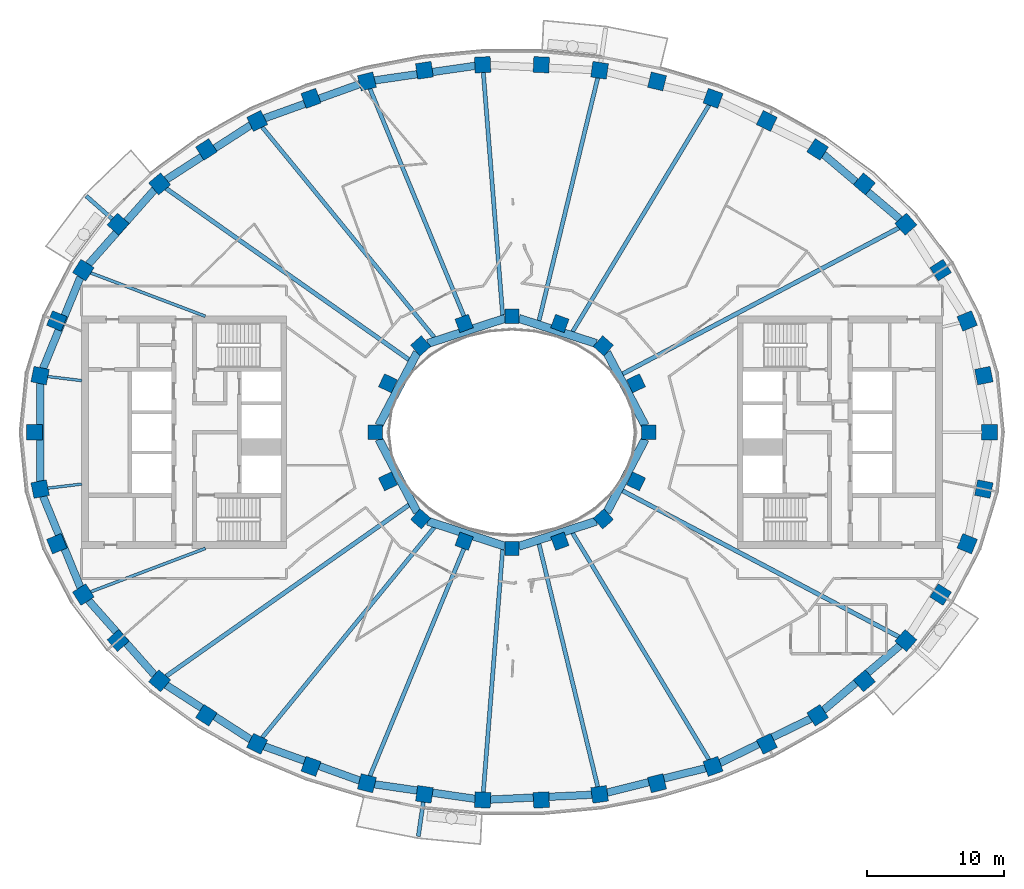
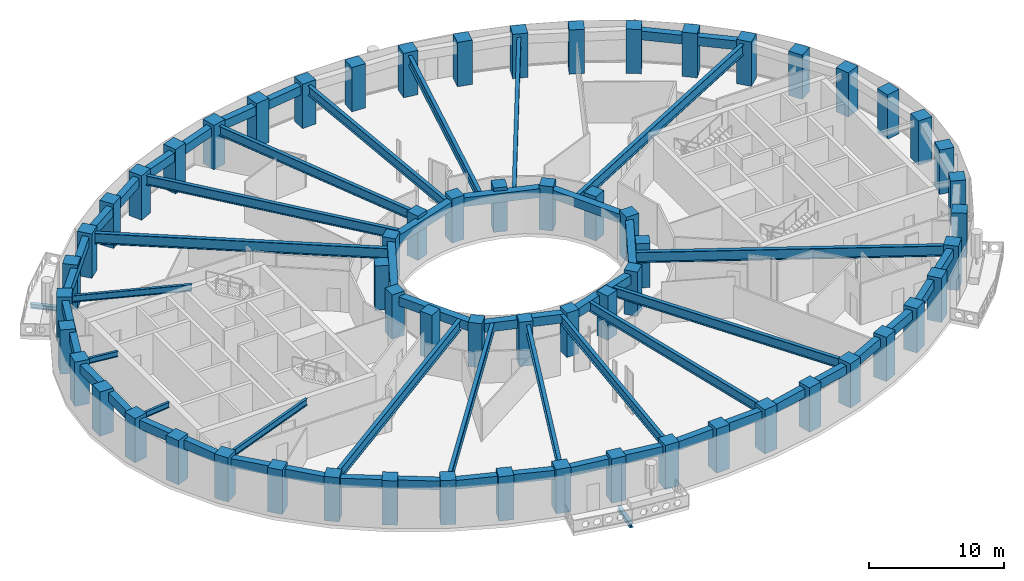
# One storey, part 1 of 17: 62 columns, 44 beams.
"""IFC4 building model written with IfcOpenShell, lengths in metres."""

from ifc_helpers import new_model, si_unit, direction, frame, origin, origin_2d, place, context, subcontext, project, spatial, rectangle, i_section, extrude, material, material_profile, profile_set, type_object, element, save


model = new_model("IFC4")

# Units and contexts
model_context = context("Model", 3, precision=1e-05, world=origin(), true_north=direction((0.0, 1.0)))
body_context = subcontext(model_context, "Body", "Model", "MODEL_VIEW")
ifc_project = project(units=[si_unit("LENGTHUNIT", "METRE"), si_unit("AREAUNIT", "SQUARE_METRE"), si_unit("VOLUMEUNIT", "CUBIC_METRE"), si_unit("PLANEANGLEUNIT", "RADIAN"), si_unit("MASSUNIT", "GRAM", prefix="KILO")], contexts=[model_context])

# Site, building, storey
site_placement = place(None, origin())
site = spatial("IfcSite", under=ifc_project, at=site_placement, CompositionType="ELEMENT")
building_placement = place(site_placement, origin())
building = spatial("IfcBuilding", under=site, at=building_placement, Name="Noorbagh Ring Tower", CompositionType="ELEMENT")
storey_placement = place(building_placement, frame((0.0, 0.0, 190.0)))
storey = spatial("IfcBuildingStorey", under=building, at=storey_placement, Name="L44", CompositionType="ELEMENT", Elevation=190.0)

# Columns
ifc_material_1 = material(Name="Concrete C60/75", Category="concrete")
ifc_material_profile_1 = material_profile(ifc_material_1, rectangle(XDim=1.14990234375, YDim=1.14990234375, at=origin_2d()), Name="RC1150x1150")
ifc_profile_set_1 = profile_set([ifc_material_profile_1], Name="Concrete C60/75")
column_type_1 = type_object("IfcColumnType", Name="STR-COL-RC1150x1150-C60-75", PredefinedType="COLUMN", material=ifc_profile_set_1)
for number, where, z_axis, x_axis, name in (
    (1, (34.944580078125, 0.0, 0.0), (0.0, 0.0, 1.0), (0.0, 1.0, 0.0), "L44/col/R1-01"),
    (2, (34.52685546875, 4.150634765625, 0.0), (0.0, 0.0, 1.0), (-0.19723040178, 0.9803571638, 0.0), "L44/col/R1-02"),
    (3, (33.30517578125, 8.1494140625, 0.0), (0.0, 0.0, 1.0), (-0.378989499959, 0.925400971969, 0.0), "L44/col/R1-03"),
    (4, (31.364990234375, 11.87109375, 0.0), (0.0, 0.0, 1.0), (-0.535190403059, 0.844731455833, 0.0), "L44/col/R1-04"),
    (5, (28.81884765625, 15.23046875, 0.0), (0.0, 0.0, 1.0), (-0.662635642662, 0.748941923699, 0.0), "L44/col/R1-05"),
    (6, (25.78271484375, 18.180419921875, 0.0), (0.0, 0.0, 1.0), (-0.763035199656, 0.646356932419, 0.0), "L44/col/R1-06"),
    (7, (22.362060546875, 20.699951171875, 0.0), (0.0, 0.0, 1.0), (-0.840247639643, 0.542202825586, 0.0), "L44/col/R1-07"),
    (8, (18.646240234375, 22.785400390625, 0.0), (0.0, 0.0, 1.0), (-0.898399080868, 0.439180021741, 0.0), "L44/col/R1-08"),
    (9, (14.70947265625, 24.44091796875, 0.0), (0.0, 0.0, 1.0), (-0.941024726094, 0.338337797003, 0.0), "L44/col/R1-09"),
    (10, (10.61328125, 25.673583984375, 0.0), (0.0, 0.0, 1.0), (-0.970829360981, 0.239771457553, 0.0), "L44/col/R1-10"),
    (11, (6.4091796875, 26.49072265625, 0.0), (0.0, 0.0, 1.0), (-0.989713114048, 0.143066249975, 0.0), "L44/col/R1-11"),
    (12, (2.14306640625, 26.89794921875, 0.0), (0.0, 0.0, 1.0), (-0.998868731212, 0.047552684538, 0.0), "L44/col/R1-12"),
    (13, (-2.14306640625, 26.89794921875, 0.0), (0.0, 0.0, 1.0), (-0.998868731212, -0.047552684538, 0.0), "L44/col/R1-13"),
    (14, (-6.4091796875, 26.49072265625, 0.0), (0.0, 0.0, 1.0), (-0.989713114048, -0.143066249975, 0.0), "L44/col/R1-14"),
    (15, (-10.61328125, 25.673583984375, 0.0), (0.0, 0.0, 1.0), (-0.970829360981, -0.239771457553, 0.0), "L44/col/R1-15"),
    (16, (-14.70947265625, 24.44091796875, 0.0), (0.0, 0.0, 1.0), (-0.941024726094, -0.338337797003, 0.0), "L44/col/R1-16"),
    (17, (-18.646240234375, 22.785400390625, 0.0), (0.0, 0.0, 1.0), (-0.898399080868, -0.439180021741, 0.0), "L44/col/R1-17"),
    (18, (-22.362060546875, 20.699951171875, 0.0), (0.0, 0.0, 1.0), (-0.840247639643, -0.542202825586, 0.0), "L44/col/R1-18"),
    (19, (-25.78271484375, 18.180419921875, 0.0), (0.0, 0.0, 1.0), (-0.763035199656, -0.646356932419, 0.0), "L44/col/R1-19"),
    (20, (-28.81884765625, 15.23046875, 0.0), (0.0, 0.0, 1.0), (-0.662635642662, -0.748941923699, 0.0), "L44/col/R1-20"),
    (21, (-31.364990234375, 11.87109375, 0.0), (0.0, 0.0, 1.0), (-0.535190403059, -0.844731455833, 0.0), "L44/col/R1-21"),
    (22, (-33.30517578125, 8.1494140625, 0.0), (0.0, 0.0, 1.0), (-0.378989499959, -0.925400971969, 0.0), "L44/col/R1-22"),
    (23, (-34.52685546875, 4.150634765625, 0.0), (0.0, 0.0, 1.0), (-0.19723040178, -0.9803571638, 0.0), "L44/col/R1-23"),
    (24, (-34.944580078125, 0.0, 0.0), (0.0, 0.0, 1.0), (0.0, -1.0, 0.0), "L44/col/R1-24"),
    (25, (-34.52685546875, -4.150634765625, 0.0), (0.0, 0.0, 1.0), (0.19723040178, -0.9803571638, 0.0), "L44/col/R1-25"),
    (26, (-33.30517578125, -8.1494140625, 0.0), (0.0, 0.0, 1.0), (0.378989499959, -0.925400971969, 0.0), "L44/col/R1-26"),
    (27, (-31.364990234375, -11.87109375, 0.0), (0.0, 0.0, 1.0), (0.535190403059, -0.844731455833, 0.0), "L44/col/R1-27"),
    (28, (-28.81884765625, -15.23046875, 0.0), (0.0, 0.0, 1.0), (0.662635642662, -0.748941923699, 0.0), "L44/col/R1-28"),
    (29, (-25.78271484375, -18.180419921875, 0.0), (0.0, 0.0, 1.0), (0.763035199656, -0.646356932419, 0.0), "L44/col/R1-29"),
    (30, (-22.362060546875, -20.699951171875, 0.0), (0.0, 0.0, 1.0), (0.840247639643, -0.542202825586, 0.0), "L44/col/R1-30"),
    (31, (-18.646240234375, -22.785400390625, 0.0), (0.0, 0.0, 1.0), (0.898399080868, -0.439180021741, 0.0), "L44/col/R1-31"),
    (32, (-14.70947265625, -24.44091796875, 0.0), (0.0, 0.0, 1.0), (0.941024726094, -0.338337797003, 0.0), "L44/col/R1-32"),
    (33, (-10.61328125, -25.673583984375, 0.0), (0.0, 0.0, 1.0), (0.970829360981, -0.239771457553, 0.0), "L44/col/R1-33"),
    (34, (-6.4091796875, -26.49072265625, 0.0), (0.0, 0.0, 1.0), (0.989713114048, -0.143066249975, 0.0), "L44/col/R1-34"),
    (35, (-2.14306640625, -26.89794921875, 0.0), (0.0, 0.0, 1.0), (0.998868731212, -0.047552684538, 0.0), "L44/col/R1-35"),
    (36, (2.14306640625, -26.89794921875, 0.0), (0.0, 0.0, 1.0), (0.998868731212, 0.047552684538, 0.0), "L44/col/R1-36"),
    (37, (6.4091796875, -26.49072265625, 0.0), (0.0, 0.0, 1.0), (0.989713114048, 0.143066249975, 0.0), "L44/col/R1-37"),
    (38, (10.61328125, -25.673583984375, 0.0), (0.0, 0.0, 1.0), (0.970829360981, 0.239771457553, 0.0), "L44/col/R1-38"),
    (39, (14.70947265625, -24.44091796875, 0.0), (0.0, 0.0, 1.0), (0.941024726094, 0.338337797003, 0.0), "L44/col/R1-39"),
    (40, (18.646240234375, -22.785400390625, 0.0), (0.0, 0.0, 1.0), (0.898399080868, 0.439180021741, 0.0), "L44/col/R1-40"),
    (41, (22.362060546875, -20.699951171875, 0.0), (0.0, 0.0, 1.0), (0.840247639643, 0.542202825586, 0.0), "L44/col/R1-41"),
    (42, (25.78271484375, -18.180419921875, 0.0), (0.0, 0.0, 1.0), (0.763035199656, 0.646356932419, 0.0), "L44/col/R1-42"),
    (43, (28.81884765625, -15.23046875, 0.0), (0.0, 0.0, 1.0), (0.662635642662, 0.748941923699, 0.0), "L44/col/R1-43"),
    (44, (31.364990234375, -11.87109375, 0.0), (0.0, 0.0, 1.0), (0.535190403059, 0.844731455833, 0.0), "L44/col/R1-44"),
    (45, (33.30517578125, -8.1494140625, 0.0), (0.0, 0.0, 1.0), (0.378989499959, 0.925400971969, 0.0), "L44/col/R1-45"),
    (46, (34.52685546875, -4.150634765625, 0.0), (0.0, 0.0, 1.0), (0.19723040178, 0.9803571638, 0.0), "L44/col/R1-46"),
):
    element("IfcColumn", number, at=place(storey_placement, frame(where, z_axis=z_axis, x_axis=x_axis)), inside=storey, type_object=column_type_1, Name=name, PredefinedType="COLUMN", context=body_context, shape_type="SweptSolid", body=[
        extrude(rectangle(XDim=1.14990234375, YDim=1.14990234375, at=origin_2d()), origin(), (0.0, 0.0, 1.0), 4.0),
    ])
ifc_material_2 = material(Name="Concrete C60/75", Category="concrete")
ifc_material_profile_2 = material_profile(ifc_material_2, rectangle(XDim=1.050048828125, YDim=1.050048828125, at=origin_2d()), Name="RC1050x1050")
ifc_profile_set_2 = profile_set([ifc_material_profile_2], Name="Concrete C60/75")
column_type_2 = type_object("IfcColumnType", Name="STR-ICOL-RC1050x1050-C60-75", PredefinedType="COLUMN", material=ifc_profile_set_2)
for number, where, z_axis, x_axis, name in (
    (47, (10.00830078125, 0.0, 0.0), (0.0, 0.0, 1.0), (0.0, 1.0, 0.0), "L44/col/IR2-W01"),
    (48, (9.07568359375, 3.58837890625, 0.0), (0.0, 0.0, 1.0), (-0.428666979171, 0.903462573087, 0.0), "L44/col/IR2-W03"),
    (49, (6.68212890625, 6.333740234375, 0.0), (0.0, 0.0, 1.0), (-0.75102249095, 0.660276622399, 0.0), "L44/col/IR2-W05"),
    (50, (3.5009765625, 7.967041015625, 0.0), (0.0, 0.0, 1.0), (-0.939019578916, 0.343863679984, 0.0), "L44/col/IR2-W07"),
    (51, (0.0, 8.5029296875, 0.0), (0.0, 0.0, 1.0), (-1.0, 0.0, 0.0), "L44/col/IR2-W09"),
    (52, (-3.5009765625, 7.967041015625, 0.0), (0.0, 0.0, 1.0), (-0.939019578916, -0.343863679984, 0.0), "L44/col/IR2-W11"),
    (53, (-6.68212890625, 6.333740234375, 0.0), (0.0, 0.0, 1.0), (-0.75102249095, -0.660276622399, 0.0), "L44/col/IR2-W13"),
    (54, (-9.07568359375, 3.58837890625, 0.0), (0.0, 0.0, 1.0), (-0.428666979171, -0.903462573087, 0.0), "L44/col/IR2-W15"),
    (55, (-10.00830078125, 0.0, 0.0), (0.0, 0.0, 1.0), (0.0, -1.0, 0.0), "L44/col/IR2-W17"),
    (56, (-9.07568359375, -3.58837890625, 0.0), (0.0, 0.0, 1.0), (0.428666979171, -0.903462573087, 0.0), "L44/col/IR2-W19"),
    (57, (-6.68212890625, -6.333740234375, 0.0), (0.0, 0.0, 1.0), (0.75102249095, -0.660276622399, 0.0), "L44/col/IR2-W21"),
    (58, (-3.5009765625, -7.967041015625, 0.0), (0.0, 0.0, 1.0), (0.939019578916, -0.343863679984, 0.0), "L44/col/IR2-W23"),
    (59, (0.0, -8.5029296875, 0.0), (0.0, 0.0, 1.0), (1.0, 0.0, 0.0), "L44/col/IR2-W25"),
    (60, (3.5009765625, -7.967041015625, 0.0), (0.0, 0.0, 1.0), (0.939019578916, 0.343863679984, 0.0), "L44/col/IR2-W27"),
    (61, (6.68212890625, -6.333740234375, 0.0), (0.0, 0.0, 1.0), (0.75102249095, 0.660276622399, 0.0), "L44/col/IR2-W29"),
    (62, (9.07568359375, -3.58837890625, 0.0), (0.0, 0.0, 1.0), (0.428666979171, 0.903462573087, 0.0), "L44/col/IR2-W31"),
):
    element("IfcColumn", number, at=place(storey_placement, frame(where, z_axis=z_axis, x_axis=x_axis)), inside=storey, type_object=column_type_2, Name=name, PredefinedType="COLUMN", context=body_context, shape_type="SweptSolid", body=[
        extrude(rectangle(XDim=1.050048828125, YDim=1.050048828125, at=origin_2d()), origin(), (0.0, 0.0, 1.0), 4.0),
    ])

# Beams
ifc_material_3 = material(Name="Steel S355", Category="steel")
ifc_material_profile_3 = material_profile(ifc_material_3, i_section(OverallWidth=0.300048828125, OverallDepth=0.39990234375, WebThickness=0.013427734375, FlangeThickness=0.02392578125, FilletRadius=0.027099609375, at=origin_2d()), Name="HEB400")
ifc_profile_set_3 = profile_set([ifc_material_profile_3], Name="Steel S355")
beam_type_1 = type_object("IfcBeamType", Name="STR-BALCONY-BRACKET-HEB400", PredefinedType="BEAM", material=ifc_profile_set_3)
beam_1_placement = place(storey_placement, frame((-29.234619140625, 15.59814453125, -0.5), z_axis=(-0.749031222735, 0.662534698992, 0.0), x_axis=(-0.662534698992, -0.749031222735, 0.0)))
element("IfcBeam", 63, at=beam_1_placement, inside=storey, type_object=beam_type_1, Name="Balcony bracket beam BN06", PredefinedType="BEAM", context=body_context, shape_type="SweptSolid", body=[
    extrude(i_section(OverallWidth=0.300048828125, OverallDepth=0.39990234375, WebThickness=0.013427734375, FlangeThickness=0.02392578125, FilletRadius=0.027099609375, at=origin_2d()), origin(), (0.0, 0.0, 1.0), 2.554443359375),
])
beam_2_placement = place(storey_placement, frame((-6.48876953125, -27.0400390625, -0.5), z_axis=(-0.143003505054, -0.989722182, 0.0), x_axis=(0.989722182, -0.143003505054, 0.0)))
element("IfcBeam", 64, at=beam_2_placement, inside=storey, type_object=beam_type_1, Name="Balcony bracket beam BS03", PredefinedType="BEAM", context=body_context, shape_type="SweptSolid", body=[
    extrude(i_section(OverallWidth=0.300048828125, OverallDepth=0.39990234375, WebThickness=0.013427734375, FlangeThickness=0.02392578125, FilletRadius=0.027099609375, at=origin_2d()), origin(), (0.0, 0.0, 1.0), 2.548828125),
])
ifc_material_4 = material(Name="Steel S355", Category="steel")
ifc_material_profile_4 = material_profile(ifc_material_4, i_section(OverallWidth=0.199951171875, OverallDepth=0.5, WebThickness=0.01025390625, FlangeThickness=0.01611328125, FilletRadius=0.02099609375, at=origin_2d()), Name="IPE500")
ifc_profile_set_4 = profile_set([ifc_material_profile_4], Name="Steel S355")
beam_type_2 = type_object("IfcBeamType", Name="STR-RAD-IPE500", PredefinedType="BEAM", material=ifc_profile_set_4)
for number, where, z_axis, x_axis, name in (
    (65, (-33.973876953125, 4.084228515625, 3.449951171875), (0.992850135932, -0.119367531518, 0.0), (0.119367531518, 0.992850135932, 0.0), "L44/bm/RD23"),
    (66, (-33.973876953125, -4.084228515625, 3.449951171875), (0.992850135932, 0.119367531518, 0.0), (-0.119367531518, 0.992850135932, 0.0), "L44/bm/RD25"),
):
    element("IfcBeam", number, at=place(storey_placement, frame(where, z_axis=z_axis, x_axis=x_axis)), inside=storey, type_object=beam_type_2, Name=name, PredefinedType="BEAM", context=body_context, shape_type="SweptSolid", body=[
        extrude(i_section(OverallWidth=0.199951171875, OverallDepth=0.5, WebThickness=0.01025390625, FlangeThickness=0.01611328125, FilletRadius=0.02099609375, at=origin_2d()), origin(), (0.0, 0.0, 1.0), 2.51171875),
    ])
ifc_material_5 = material(Name="Steel S355", Category="steel")
ifc_material_profile_5 = material_profile(ifc_material_5, i_section(OverallWidth=0.219970703125, OverallDepth=0.60009765625, WebThickness=0.011962890625, FlangeThickness=0.01904296875, FilletRadius=0.02392578125, at=origin_2d()), Name="IPE600")
ifc_profile_set_5 = profile_set([ifc_material_profile_5], Name="Steel S355")
beam_type_3 = type_object("IfcBeamType", Name="STR-RAD-IPE600", PredefinedType="BEAM", material=ifc_profile_set_5)
for number, where, z_axis, x_axis, name in (
    (67, (-30.834716796875, 11.670166015625, 3.39990234375), (0.935258517004, -0.353965402789, 0.0), (0.353965402789, 0.935258517004, 0.0), "L44/bm/RD21"),
    (68, (-30.834716796875, -11.670166015625, 3.39990234375), (0.935258517004, 0.353965402789, 0.0), (-0.353965402789, 0.935258517004, 0.0), "L44/bm/RD27"),
):
    element("IfcBeam", number, at=place(storey_placement, frame(where, z_axis=z_axis, x_axis=x_axis)), inside=storey, type_object=beam_type_3, Name=name, PredefinedType="BEAM", context=body_context, shape_type="SweptSolid", body=[
        extrude(i_section(OverallWidth=0.219970703125, OverallDepth=0.60009765625, WebThickness=0.011962890625, FlangeThickness=0.01904296875, FilletRadius=0.02392578125, at=origin_2d()), origin(), (0.0, 0.0, 1.0), 8.97607421875),
    ])
ifc_material_6 = material(Name="Steel S355", Category="steel")
ifc_material_profile_6 = material_profile(ifc_material_6, i_section(OverallWidth=0.300048828125, OverallDepth=0.85009765625, WebThickness=0.013916015625, FlangeThickness=0.028076171875, at=origin_2d()), Name="PG850x300x14x28")
ifc_profile_set_6 = profile_set([ifc_material_profile_6], Name="Steel S355")
beam_type_4 = type_object("IfcBeamType", Name="STR-RAD-PG850x300x14x28", PredefinedType="BEAM", material=ifc_profile_set_6)
beam_3_placement = place(storey_placement, frame((14.41748046875, 23.95556640625, 3.27490234375), z_axis=(-0.515657480155, -0.856794819756, 0.0), x_axis=(0.856794819756, -0.515657480155, 0.0)))
element("IfcBeam", 69, at=beam_3_placement, inside=storey, type_object=beam_type_4, Name="L44/bm/RD09", PredefinedType="BEAM", context=body_context, shape_type="SweptSolid", body=[
    extrude(i_section(OverallWidth=0.300048828125, OverallDepth=0.85009765625, WebThickness=0.013916015625, FlangeThickness=0.028076171875, at=origin_2d()), origin(), (0.0, 0.0, 1.0), 19.36962890625),
])
beam_4_placement = place(storey_placement, frame((6.278076171875, 25.948974609375, 3.27490234375), z_axis=(-0.235157209599, -0.971957348228, 0.0), x_axis=(0.971957348228, -0.235157209599, 0.0)))
element("IfcBeam", 70, at=beam_4_placement, inside=storey, type_object=beam_type_4, Name="L44/bm/RD11", PredefinedType="BEAM", context=body_context, shape_type="SweptSolid", body=[
    extrude(i_section(OverallWidth=0.300048828125, OverallDepth=0.85009765625, WebThickness=0.013916015625, FlangeThickness=0.028076171875, at=origin_2d()), origin(), (0.0, 0.0, 1.0), 18.3056640625),
])
beam_5_placement = place(storey_placement, frame((-2.09912109375, 26.344482421875, 3.27490234375), z_axis=(0.079426755243, -0.996840704702, 0.0), x_axis=(0.996840704702, 0.079426755243, 0.0)))
element("IfcBeam", 71, at=beam_5_placement, inside=storey, type_object=beam_type_4, Name="L44/bm/RD13", PredefinedType="BEAM", context=body_context, shape_type="SweptSolid", body=[
    extrude(i_section(OverallWidth=0.300048828125, OverallDepth=0.85009765625, WebThickness=0.013916015625, FlangeThickness=0.028076171875, at=origin_2d()), origin(), (0.0, 0.0, 1.0), 17.824951171875),
])
beam_6_placement = place(storey_placement, frame((-10.398681640625, 25.15478515625, 3.27490234375), z_axis=(0.382029145197, -0.924150275778, 0.0), x_axis=(0.924150275778, 0.382029145197, 0.0)))
element("IfcBeam", 72, at=beam_6_placement, inside=storey, type_object=beam_type_4, Name="L44/bm/RD15", PredefinedType="BEAM", context=body_context, shape_type="SweptSolid", body=[
    extrude(i_section(OverallWidth=0.300048828125, OverallDepth=0.85009765625, WebThickness=0.013916015625, FlangeThickness=0.028076171875, at=origin_2d()), origin(), (0.0, 0.0, 1.0), 18.826171875),
])
for number, where, z_axis, x_axis, name in (
    (73, (-18.284912109375, 22.34375, 3.27490234375), (0.633309312675, -0.773898775344, 0.0), (0.773898775344, 0.633309312675, 0.0), "L44/bm/RD17"),
    (74, (-18.284912109375, -22.34375, 3.27490234375), (0.633309312675, 0.773898775344, 0.0), (-0.773898775344, 0.633309312675, 0.0), "L44/bm/RD31"),
):
    element("IfcBeam", number, at=place(storey_placement, frame(where, z_axis=z_axis, x_axis=x_axis)), inside=storey, type_object=beam_type_4, Name=name, PredefinedType="BEAM", context=body_context, shape_type="SweptSolid", body=[
        extrude(i_section(OverallWidth=0.300048828125, OverallDepth=0.85009765625, WebThickness=0.013916015625, FlangeThickness=0.028076171875, at=origin_2d()), origin(), (0.0, 0.0, 1.0), 19.888671875),
    ])
beam_7_placement = place(storey_placement, frame((-10.398681640625, -25.15478515625, 3.27490234375), z_axis=(0.382029145197, 0.924150275778, 0.0), x_axis=(-0.924150275778, 0.382029145197, 0.0)))
element("IfcBeam", 75, at=beam_7_placement, inside=storey, type_object=beam_type_4, Name="L44/bm/RD33", PredefinedType="BEAM", context=body_context, shape_type="SweptSolid", body=[
    extrude(i_section(OverallWidth=0.300048828125, OverallDepth=0.85009765625, WebThickness=0.013916015625, FlangeThickness=0.028076171875, at=origin_2d()), origin(), (0.0, 0.0, 1.0), 18.826171875),
])
beam_8_placement = place(storey_placement, frame((-2.09912109375, -26.344482421875, 3.27490234375), z_axis=(0.079426755243, 0.996840704702, 0.0), x_axis=(-0.996840704702, 0.079426755243, 0.0)))
element("IfcBeam", 76, at=beam_8_placement, inside=storey, type_object=beam_type_4, Name="L44/bm/RD35", PredefinedType="BEAM", context=body_context, shape_type="SweptSolid", body=[
    extrude(i_section(OverallWidth=0.300048828125, OverallDepth=0.85009765625, WebThickness=0.013916015625, FlangeThickness=0.028076171875, at=origin_2d()), origin(), (0.0, 0.0, 1.0), 17.824951171875),
])
beam_9_placement = place(storey_placement, frame((6.278076171875, -25.948974609375, 3.27490234375), z_axis=(-0.235157209599, 0.971957348228, 0.0), x_axis=(-0.971957348228, -0.235157209599, 0.0)))
element("IfcBeam", 77, at=beam_9_placement, inside=storey, type_object=beam_type_4, Name="L44/bm/RD37", PredefinedType="BEAM", context=body_context, shape_type="SweptSolid", body=[
    extrude(i_section(OverallWidth=0.300048828125, OverallDepth=0.85009765625, WebThickness=0.013916015625, FlangeThickness=0.028076171875, at=origin_2d()), origin(), (0.0, 0.0, 1.0), 18.3056640625),
])
beam_10_placement = place(storey_placement, frame((14.41748046875, -23.95556640625, 3.27490234375), z_axis=(-0.515657480155, 0.856794819756, 0.0), x_axis=(-0.856794819756, -0.515657480155, 0.0)))
element("IfcBeam", 78, at=beam_10_placement, inside=storey, type_object=beam_type_4, Name="L44/bm/RD39", PredefinedType="BEAM", context=body_context, shape_type="SweptSolid", body=[
    extrude(i_section(OverallWidth=0.300048828125, OverallDepth=0.85009765625, WebThickness=0.013916015625, FlangeThickness=0.028076171875, at=origin_2d()), origin(), (0.0, 0.0, 1.0), 19.36962890625),
])
ifc_material_7 = material(Name="Steel S355", Category="steel")
ifc_material_profile_7 = material_profile(ifc_material_7, i_section(OverallWidth=0.320068359375, OverallDepth=0.949951171875, WebThickness=0.01611328125, FlangeThickness=0.030029296875, at=origin_2d()), Name="PG950x320x16x30")
ifc_profile_set_7 = profile_set([ifc_material_profile_7], Name="Steel S355")
beam_type_5 = type_object("IfcBeamType", Name="STR-RAD-PG950x320x16x30", PredefinedType="BEAM", material=ifc_profile_set_7)
beam_11_placement = place(storey_placement, frame((28.3134765625, 14.96337890625, 3.22509765625), z_axis=(-0.88412220417, -0.467255741638, 0.0), x_axis=(0.467255741638, -0.88412220417, 0.0)))
element("IfcBeam", 79, at=beam_11_placement, inside=storey, type_object=beam_type_5, Name="L44/bm/RD05", PredefinedType="BEAM", context=body_context, shape_type="SweptSolid", body=[
    extrude(i_section(OverallWidth=0.320068359375, OverallDepth=0.949951171875, WebThickness=0.01611328125, FlangeThickness=0.030029296875, at=origin_2d()), origin(), (0.0, 0.0, 1.0), 22.88330078125),
])
for number, where, z_axis, x_axis, name in (
    (80, (-25.313720703125, 17.849609375, 3.22509765625), (0.81725576223, -0.576275124487, 0.0), (0.576275124487, 0.81725576223, 0.0), "L44/bm/RD19"),
    (81, (-25.313720703125, -17.849609375, 3.22509765625), (0.81725576223, 0.576275124487, 0.0), (-0.576275124487, 0.81725576223, 0.0), "L44/bm/RD29"),
):
    element("IfcBeam", number, at=place(storey_placement, frame(where, z_axis=z_axis, x_axis=x_axis)), inside=storey, type_object=beam_type_5, Name=name, PredefinedType="BEAM", context=body_context, shape_type="SweptSolid", body=[
        extrude(i_section(OverallWidth=0.320068359375, OverallDepth=0.949951171875, WebThickness=0.01611328125, FlangeThickness=0.030029296875, at=origin_2d()), origin(), (0.0, 0.0, 1.0), 21.754638671875),
    ])
beam_12_placement = place(storey_placement, frame((28.3134765625, -14.96337890625, 3.22509765625), z_axis=(-0.88412220417, 0.467255741638, 0.0), x_axis=(-0.467255741638, -0.88412220417, 0.0)))
element("IfcBeam", 82, at=beam_12_placement, inside=storey, type_object=beam_type_5, Name="L44/bm/RD43", PredefinedType="BEAM", context=body_context, shape_type="SweptSolid", body=[
    extrude(i_section(OverallWidth=0.320068359375, OverallDepth=0.949951171875, WebThickness=0.01611328125, FlangeThickness=0.030029296875, at=origin_2d()), origin(), (0.0, 0.0, 1.0), 22.88330078125),
])
ifc_material_8 = material(Name="Concrete C40/50", Category="concrete")
ifc_material_profile_8 = material_profile(ifc_material_8, rectangle(XDim=0.60009765625, YDim=0.800048828125, at=origin_2d()), Name="RC600x800")
ifc_profile_set_8 = profile_set([ifc_material_profile_8], Name="Concrete C40/50")
beam_type_6 = type_object("IfcBeamType", Name="STR-RB-RC600x800-C40-50", PredefinedType="BEAM", material=ifc_profile_set_8)
beam_13_placement = place(storey_placement, frame((9.741943359375, 0.50732421875, 3.300048828125), z_axis=(-0.464929768283, 0.885347564838, 0.0), x_axis=(-0.885347564838, -0.464929768283, 0.0)))
element("IfcBeam", 83, at=beam_13_placement, inside=storey, type_object=beam_type_6, Name="L44/bm/RG01", PredefinedType="BEAM", context=body_context, shape_type="SweptSolid", body=[
    extrude(rectangle(XDim=0.60009765625, YDim=0.800048828125, at=origin_2d()), origin(), (0.0, 0.0, 1.0), 6.038818359375),
])
for number, where, z_axis, x_axis, name in (
    (84, (6.157470703125, 6.504150390625, 3.300048828125), (-0.951147838406, 0.308735792379, 0.0), (-0.308735792379, -0.951147838406, 0.0), "L44/bm/RG03"),
    (85, (-0.505859375, 8.338623046875, 3.300048828125), (-0.951147838406, -0.308735792379, 0.0), (0.308735792379, -0.951147838406, 0.0), "L44/bm/RG05"),
):
    element("IfcBeam", number, at=place(storey_placement, frame(where, z_axis=z_axis, x_axis=x_axis)), inside=storey, type_object=beam_type_6, Name=name, PredefinedType="BEAM", context=body_context, shape_type="SweptSolid", body=[
        extrude(rectangle(XDim=0.60009765625, YDim=0.800048828125, at=origin_2d()), origin(), (0.0, 0.0, 1.0), 5.94189453125),
    ])
for number, where, z_axis, x_axis, name in (
    (86, (-6.934326171875, 5.853759765625, 3.300048828125), (-0.464929768283, -0.885347564838, 0.0), (0.885347564838, -0.464929768283, 0.0), "L44/bm/RG07"),
    (87, (-9.741943359375, -0.50732421875, 3.300048828125), (0.464929768283, -0.885347564838, 0.0), (0.885347564838, 0.464929768283, 0.0), "L44/bm/RG09"),
):
    element("IfcBeam", number, at=place(storey_placement, frame(where, z_axis=z_axis, x_axis=x_axis)), inside=storey, type_object=beam_type_6, Name=name, PredefinedType="BEAM", context=body_context, shape_type="SweptSolid", body=[
        extrude(rectangle(XDim=0.60009765625, YDim=0.800048828125, at=origin_2d()), origin(), (0.0, 0.0, 1.0), 6.038818359375),
    ])
for number, where, z_axis, x_axis, name in (
    (88, (-6.157470703125, -6.504150390625, 3.300048828125), (0.951147838406, -0.308735792379, 0.0), (0.308735792379, 0.951147838406, 0.0), "L44/bm/RG11"),
    (89, (0.505859375, -8.338623046875, 3.300048828125), (0.951147838406, 0.308735792379, 0.0), (-0.308735792379, 0.951147838406, 0.0), "L44/bm/RG13"),
):
    element("IfcBeam", number, at=place(storey_placement, frame(where, z_axis=z_axis, x_axis=x_axis)), inside=storey, type_object=beam_type_6, Name=name, PredefinedType="BEAM", context=body_context, shape_type="SweptSolid", body=[
        extrude(rectangle(XDim=0.60009765625, YDim=0.800048828125, at=origin_2d()), origin(), (0.0, 0.0, 1.0), 5.94189453125),
    ])
beam_14_placement = place(storey_placement, frame((6.934326171875, -5.853759765625, 3.300048828125), z_axis=(0.464929768283, 0.885347564838, 0.0), x_axis=(-0.885347564838, 0.464929768283, 0.0)))
element("IfcBeam", 90, at=beam_14_placement, inside=storey, type_object=beam_type_6, Name="L44/bm/RG15", PredefinedType="BEAM", context=body_context, shape_type="SweptSolid", body=[
    extrude(rectangle(XDim=0.60009765625, YDim=0.800048828125, at=origin_2d()), origin(), (0.0, 0.0, 1.0), 6.038818359375),
])
ifc_material_9 = material(Name="Concrete C40/50", Category="concrete")
ifc_material_profile_9 = material_profile(ifc_material_9, rectangle(XDim=0.550048828125, YDim=0.800048828125, at=origin_2d()), Name="RC550x800")
ifc_profile_set_9 = profile_set([ifc_material_profile_9], Name="Concrete C40/50")
beam_type_7 = type_object("IfcBeamType", Name="STR-SB-RC550x800-C40-50", PredefinedType="BEAM", material=ifc_profile_set_9)
beam_15_placement = place(storey_placement, frame((28.390869140625, 15.593017578125, 3.300048828125), z_axis=(-0.76302791951, 0.646365526656, 0.0), x_axis=(-0.646365526656, -0.76302791951, 0.0)))
element("IfcBeam", 91, at=beam_15_placement, inside=storey, type_object=beam_type_7, Name="L44/bm/SP05", PredefinedType="BEAM", context=body_context, shape_type="SweptSolid", body=[
    extrude(rectangle(XDim=0.550048828125, YDim=0.800048828125, at=origin_2d()), origin(), (0.0, 0.0, 1.0), 7.34130859375),
])
beam_16_placement = place(storey_placement, frame((-2.695068359375, 26.818115234375, 3.300048828125), z_axis=(-0.989714582635, -0.143056090115, 0.0), x_axis=(0.143056090115, -0.989714582635, 0.0)))
element("IfcBeam", 92, at=beam_16_placement, inside=storey, type_object=beam_type_7, Name="L44/bm/SP13", PredefinedType="BEAM", context=body_context, shape_type="SweptSolid", body=[
    extrude(rectangle(XDim=0.550048828125, YDim=0.800048828125, at=origin_2d()), origin(), (0.0, 0.0, 1.0), 7.442626953125),
])
beam_17_placement = place(storey_placement, frame((-11.138427734375, 25.48486328125, 3.300048828125), z_axis=(-0.941023654447, -0.338340777576, 0.0), x_axis=(0.338340777576, -0.941023654447, 0.0)))
element("IfcBeam", 93, at=beam_17_placement, inside=storey, type_object=beam_type_7, Name="L44/bm/SP15", PredefinedType="BEAM", context=body_context, shape_type="SweptSolid", body=[
    extrude(rectangle(XDim=0.550048828125, YDim=0.800048828125, at=origin_2d()), origin(), (0.0, 0.0, 1.0), 7.419921875),
])
beam_18_placement = place(storey_placement, frame((-19.115966796875, 22.482177734375, 3.300048828125), z_axis=(-0.840254319368, -0.542192473928, 0.0), x_axis=(0.542192473928, -0.840254319368, 0.0)))
element("IfcBeam", 94, at=beam_18_placement, inside=storey, type_object=beam_type_7, Name="L44/bm/SP17", PredefinedType="BEAM", context=body_context, shape_type="SweptSolid", body=[
    extrude(rectangle(XDim=0.550048828125, YDim=0.800048828125, at=origin_2d()), origin(), (0.0, 0.0, 1.0), 7.374267578125),
])
beam_19_placement = place(storey_placement, frame((-26.154541015625, 17.76025390625, 3.300048828125), z_axis=(-0.662635208679, -0.74894230767, 0.0), x_axis=(0.74894230767, -0.662635208679, 0.0)))
element("IfcBeam", 95, at=beam_19_placement, inside=storey, type_object=beam_type_7, Name="L44/bm/SP19", PredefinedType="BEAM", context=body_context, shape_type="SweptSolid", body=[
    extrude(rectangle(XDim=0.550048828125, YDim=0.800048828125, at=origin_2d()), origin(), (0.0, 0.0, 1.0), 7.301025390625),
])
beam_20_placement = place(storey_placement, frame((-31.578857421875, 11.34912109375, 3.300048828125), z_axis=(-0.378982069308, -0.925404015089, 0.0), x_axis=(0.925404015089, -0.378982069308, 0.0)))
element("IfcBeam", 96, at=beam_20_placement, inside=storey, type_object=beam_type_7, Name="L44/bm/SP21", PredefinedType="BEAM", context=body_context, shape_type="SweptSolid", body=[
    extrude(rectangle(XDim=0.550048828125, YDim=0.800048828125, at=origin_2d()), origin(), (0.0, 0.0, 1.0), 7.213134765625),
])
beam_21_placement = place(storey_placement, frame((-34.52685546875, 3.584228515625, 3.300048828125), z_axis=(0.0, -1.0, 0.0), x_axis=(1.0, 0.0, 0.0)))
element("IfcBeam", 97, at=beam_21_placement, inside=storey, type_object=beam_type_7, Name="L44/bm/SP23", PredefinedType="BEAM", context=body_context, shape_type="SweptSolid", body=[
    extrude(rectangle(XDim=0.550048828125, YDim=0.800048828125, at=origin_2d()), origin(), (0.0, 0.0, 1.0), 7.16845703125),
])
beam_22_placement = place(storey_placement, frame((-34.3125, -4.674072265625, 3.300048828125), z_axis=(0.378982069308, -0.925404015089, 0.0), x_axis=(0.925404015089, 0.378982069308, 0.0)))
element("IfcBeam", 98, at=beam_22_placement, inside=storey, type_object=beam_type_7, Name="L44/bm/SP25", PredefinedType="BEAM", context=body_context, shape_type="SweptSolid", body=[
    extrude(rectangle(XDim=0.550048828125, YDim=0.800048828125, at=origin_2d()), origin(), (0.0, 0.0, 1.0), 7.213134765625),
])
beam_23_placement = place(storey_placement, frame((-30.992431640625, -12.292236328125, 3.300048828125), z_axis=(0.662635208679, -0.74894230767, 0.0), x_axis=(0.74894230767, 0.662635208679, 0.0)))
element("IfcBeam", 99, at=beam_23_placement, inside=storey, type_object=beam_type_7, Name="L44/bm/SP27", PredefinedType="BEAM", context=body_context, shape_type="SweptSolid", body=[
    extrude(rectangle(XDim=0.550048828125, YDim=0.800048828125, at=origin_2d()), origin(), (0.0, 0.0, 1.0), 7.301025390625),
])
beam_24_placement = place(storey_placement, frame((-25.312255859375, -18.48388671875, 3.300048828125), z_axis=(0.840254319368, -0.542192473928, 0.0), x_axis=(0.542192473928, 0.840254319368, 0.0)))
element("IfcBeam", 100, at=beam_24_placement, inside=storey, type_object=beam_type_7, Name="L44/bm/SP29", PredefinedType="BEAM", context=body_context, shape_type="SweptSolid", body=[
    extrude(rectangle(XDim=0.550048828125, YDim=0.800048828125, at=origin_2d()), origin(), (0.0, 0.0, 1.0), 7.374267578125),
])
beam_25_placement = place(storey_placement, frame((-18.120849609375, -22.974365234375, 3.300048828125), z_axis=(0.941023654447, -0.338340777576, 0.0), x_axis=(0.338340777576, 0.941023654447, 0.0)))
element("IfcBeam", 101, at=beam_25_placement, inside=storey, type_object=beam_type_7, Name="L44/bm/SP31", PredefinedType="BEAM", context=body_context, shape_type="SweptSolid", body=[
    extrude(rectangle(XDim=0.550048828125, YDim=0.800048828125, at=origin_2d()), origin(), (0.0, 0.0, 1.0), 7.419921875),
])
beam_26_placement = place(storey_placement, frame((-10.06103515625, -25.75341796875, 3.300048828125), z_axis=(0.989714582635, -0.143056090115, 0.0), x_axis=(0.143056090115, 0.989714582635, 0.0)))
element("IfcBeam", 102, at=beam_26_placement, inside=storey, type_object=beam_type_7, Name="L44/bm/SP33", PredefinedType="BEAM", context=body_context, shape_type="SweptSolid", body=[
    extrude(rectangle(XDim=0.550048828125, YDim=0.800048828125, at=origin_2d()), origin(), (0.0, 0.0, 1.0), 7.442626953125),
])
beam_27_placement = place(storey_placement, frame((-1.586181640625, -26.87158203125, 3.300048828125), z_axis=(0.998867915197, 0.047569822271, 0.0), x_axis=(-0.047569822271, 0.998867915197, 0.0)))
element("IfcBeam", 103, at=beam_27_placement, inside=storey, type_object=beam_type_7, Name="L44/bm/SP35", PredefinedType="BEAM", context=body_context, shape_type="SweptSolid", body=[
    extrude(rectangle(XDim=0.550048828125, YDim=0.800048828125, at=origin_2d()), origin(), (0.0, 0.0, 1.0), 7.447021484375),
])
beam_28_placement = place(storey_placement, frame((6.95068359375, -26.357177734375, 3.300048828125), z_axis=(0.970828249823, 0.239775956563, 0.0), x_axis=(-0.239775956563, 0.970828249823, 0.0)))
element("IfcBeam", 104, at=beam_28_placement, inside=storey, type_object=beam_type_7, Name="L44/bm/SP37", PredefinedType="BEAM", context=body_context, shape_type="SweptSolid", body=[
    extrude(rectangle(XDim=0.550048828125, YDim=0.800048828125, at=origin_2d()), origin(), (0.0, 0.0, 1.0), 7.433837890625),
])
beam_29_placement = place(storey_placement, frame((15.211181640625, -24.195556640625, 3.300048828125), z_axis=(0.898409236546, 0.439159246389, 0.0), x_axis=(-0.439159246389, 0.898409236546, 0.0)))
element("IfcBeam", 105, at=beam_29_placement, inside=storey, type_object=beam_type_7, Name="L44/bm/SP39", PredefinedType="BEAM", context=body_context, shape_type="SweptSolid", body=[
    extrude(rectangle(XDim=0.550048828125, YDim=0.800048828125, at=origin_2d()), origin(), (0.0, 0.0, 1.0), 7.400390625),
])
beam_30_placement = place(storey_placement, frame((22.789306640625, -20.338134765625, 3.300048828125), z_axis=(0.76302791951, 0.646365526656, 0.0), x_axis=(-0.646365526656, 0.76302791951, 0.0)))
element("IfcBeam", 106, at=beam_30_placement, inside=storey, type_object=beam_type_7, Name="L44/bm/SP41", PredefinedType="BEAM", context=body_context, shape_type="SweptSolid", body=[
    extrude(rectangle(XDim=0.550048828125, YDim=0.800048828125, at=origin_2d()), origin(), (0.0, 0.0, 1.0), 7.34130859375),
])

save(model, "model.ifc")
